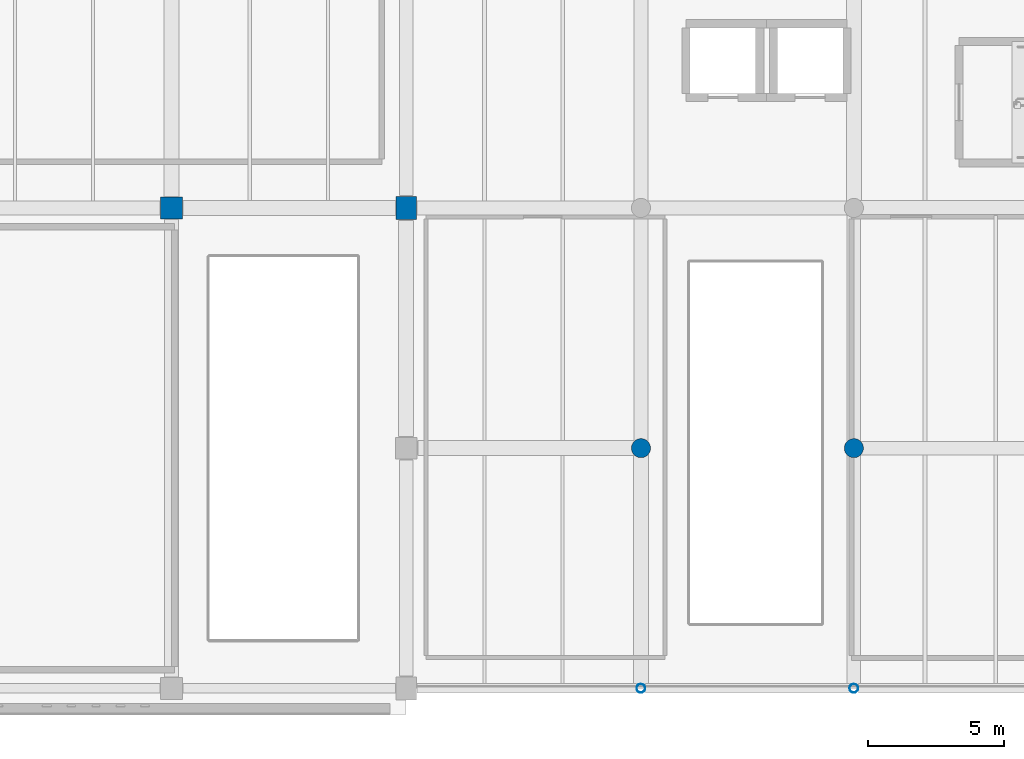
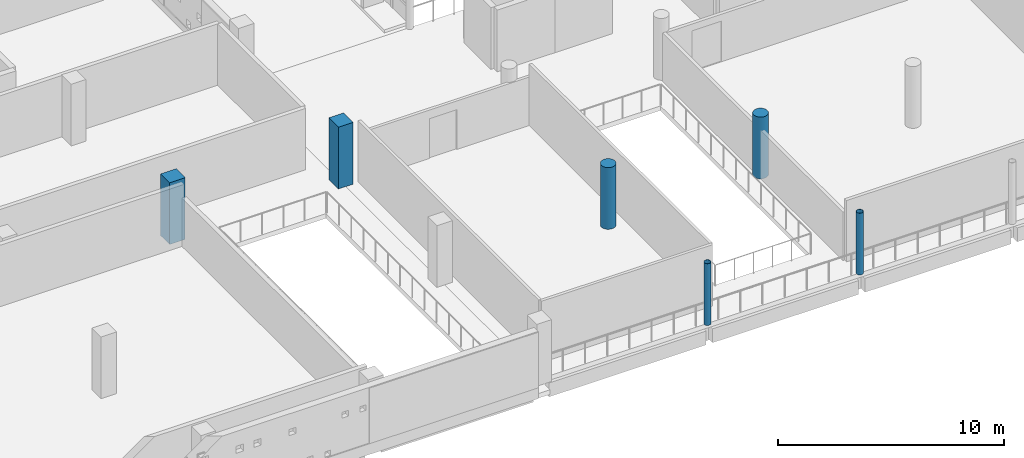
# One storey, part 2 of 75: 6 columns.
"""IFC4 building model written with IfcOpenShell, lengths in metres."""

from ifc_helpers import new_model, si_unit, direction, frame, origin, origin_2d, place, context, subcontext, project, spatial, rectangle, circle, hollow_circle, extrude, material, material_profile, profile_set, type_object, element, save


model = new_model("IFC4")

# Units and contexts
model_context = context("Model", 3, precision=1e-05, world=origin(), true_north=direction((0.0, 1.0)))
body_context = subcontext(model_context, "Body", "Model", "MODEL_VIEW")
ifc_project = project(units=[si_unit("LENGTHUNIT", "METRE"), si_unit("AREAUNIT", "SQUARE_METRE"), si_unit("VOLUMEUNIT", "CUBIC_METRE"), si_unit("PLANEANGLEUNIT", "RADIAN"), si_unit("MASSUNIT", "GRAM", prefix="KILO")], contexts=[model_context])

# Site, building, storey
site_placement = place(None, origin())
site = spatial("IfcSite", under=ifc_project, at=site_placement, CompositionType="ELEMENT")
building_placement = place(site_placement, origin())
building = spatial("IfcBuilding", under=site, at=building_placement, Name="Varnakota Cinema and Media Centre", CompositionType="ELEMENT")
storey_placement = place(building_placement, frame((0.0, 0.0, 8.39990234375)))
storey = spatial("IfcBuildingStorey", under=building, at=storey_placement, Name="L02", CompositionType="ELEMENT", Elevation=8.39990234375)

# Columns
ifc_material_1 = material(Name="Concrete M40", Category="concrete")
ifc_material_profile_1 = material_profile(ifc_material_1, rectangle(XDim=0.75, YDim=0.85009765625, at=origin_2d()), Name="RC 750x850")
ifc_profile_set_1 = profile_set([ifc_material_profile_1], Name="Concrete M40")
column_type_1 = type_object("IfcColumnType", Name="COL-RC-750x850", PredefinedType="COLUMN", material=ifc_profile_set_1)
column_1_placement = place(storey_placement, frame((43.0, 17.60009765625, 0.0), z_axis=(0.0, 0.0, 1.0), x_axis=(1.0, 0.0, 0.0)))
element("IfcColumn", 1, at=column_1_placement, inside=storey, type_object=column_type_1, Name="L02 column F/3", PredefinedType="COLUMN", context=body_context, shape_type="SweptSolid", body=[
    extrude(rectangle(XDim=0.75, YDim=0.85009765625, at=origin_2d()), origin(), (0.0, 0.0, 1.0), 3.340087890625),
])
ifc_material_2 = material(Name="Concrete M40", Category="concrete")
ifc_material_profile_2 = material_profile(ifc_material_2, rectangle(XDim=0.800048828125, YDim=0.800048828125, at=origin_2d()), Name="RC 800x800")
ifc_profile_set_2 = profile_set([ifc_material_profile_2], Name="Concrete M40")
column_type_2 = type_object("IfcColumnType", Name="COL-RC-800x800", PredefinedType="COLUMN", material=ifc_profile_set_2)
column_2_placement = place(storey_placement, frame((34.39990234375, 17.60009765625, 0.0), z_axis=(0.0, 0.0, 1.0), x_axis=(1.0, 0.0, 0.0)))
element("IfcColumn", 2, at=column_2_placement, inside=storey, type_object=column_type_2, Name="L02 column E/3", PredefinedType="COLUMN", context=body_context, shape_type="SweptSolid", body=[
    extrude(rectangle(XDim=0.800048828125, YDim=0.800048828125, at=origin_2d()), origin(), (0.0, 0.0, 1.0), 3.340087890625),
])
ifc_material_3 = material(Name="Concrete M40", Category="concrete")
ifc_material_profile_3 = material_profile(ifc_material_3, circle(Radius=0.35009765625, at=origin_2d()), Name="RC D700")
ifc_profile_set_3 = profile_set([ifc_material_profile_3], Name="Concrete M40")
column_type_3 = type_object("IfcColumnType", Name="COL-RC-D700", PredefinedType="COLUMN", material=ifc_profile_set_3)
for number, where, z_axis, x_axis, name in (
    (3, (51.60009765625, 8.800048828125, 0.0), (0.0, 0.0, 1.0), (1.0, 0.0, 0.0), "L02 column G/2"),
    (4, (59.39990234375, 8.800048828125, 0.0), (0.0, 0.0, 1.0), (1.0, 0.0, 0.0), "L02 column H/2"),
):
    element("IfcColumn", number, at=place(storey_placement, frame(where, z_axis=z_axis, x_axis=x_axis)), inside=storey, type_object=column_type_3, Name=name, PredefinedType="COLUMN", context=body_context, shape_type="SweptSolid", body=[
        extrude(circle(Radius=0.35009765625, at=origin_2d()), origin(), (0.0, 0.0, 1.0), 3.340087890625),
    ])
ifc_material_4 = material(Name="Structural steel S355 (YSt 355)", Category="steel")
ifc_material_profile_4 = material_profile(ifc_material_4, hollow_circle(Radius=0.161865234375, WallThickness=0.010009765625, at=origin_2d()), Name="CHS 323.9x10.0")
ifc_profile_set_4 = profile_set([ifc_material_profile_4], Name="Structural steel S355 (YSt 355)")
column_type_4 = type_object("IfcColumnType", Name="COL-ST-CHS324", PredefinedType="COLUMN", material=ifc_profile_set_4)
for number, where, z_axis, x_axis, name in (
    (5, (51.60009765625, 0.0, 0.0), (0.0, 0.0, 1.0), (1.0, 0.0, 0.0), "L02 column G/1"),
    (6, (59.39990234375, 0.0, 0.0), (0.0, 0.0, 1.0), (1.0, 0.0, 0.0), "L02 column H/1"),
):
    element("IfcColumn", number, at=place(storey_placement, frame(where, z_axis=z_axis, x_axis=x_axis)), inside=storey, type_object=column_type_4, Name=name, PredefinedType="COLUMN", context=body_context, shape_type="SweptSolid", body=[
        extrude(hollow_circle(Radius=0.161865234375, WallThickness=0.010009765625, at=origin_2d()), origin(), (0.0, 0.0, 1.0), 3.340087890625),
    ])

save(model, "model.ifc")
